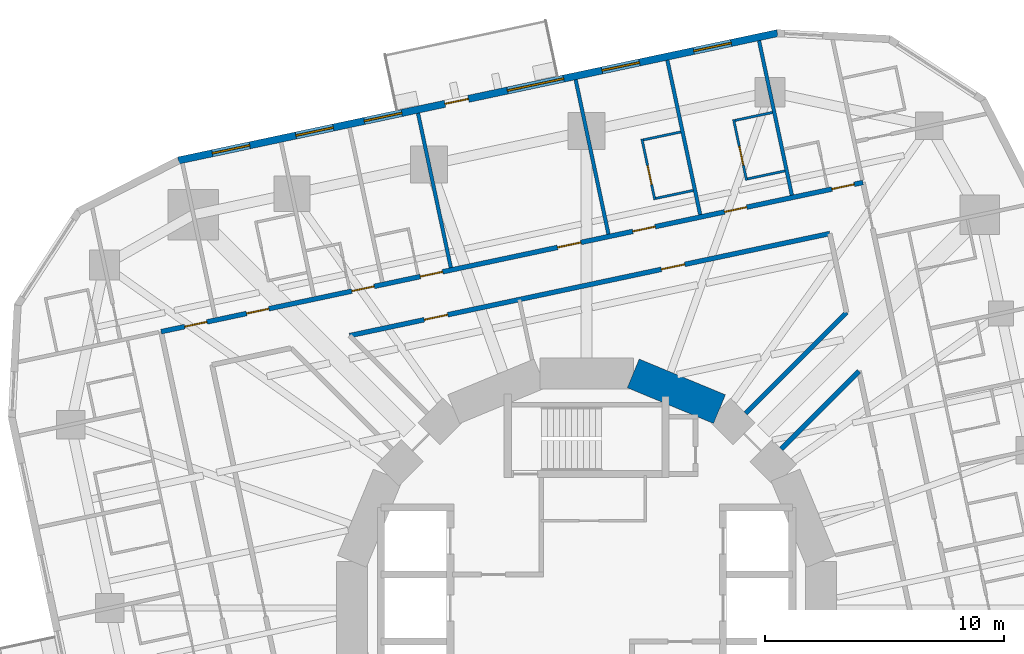
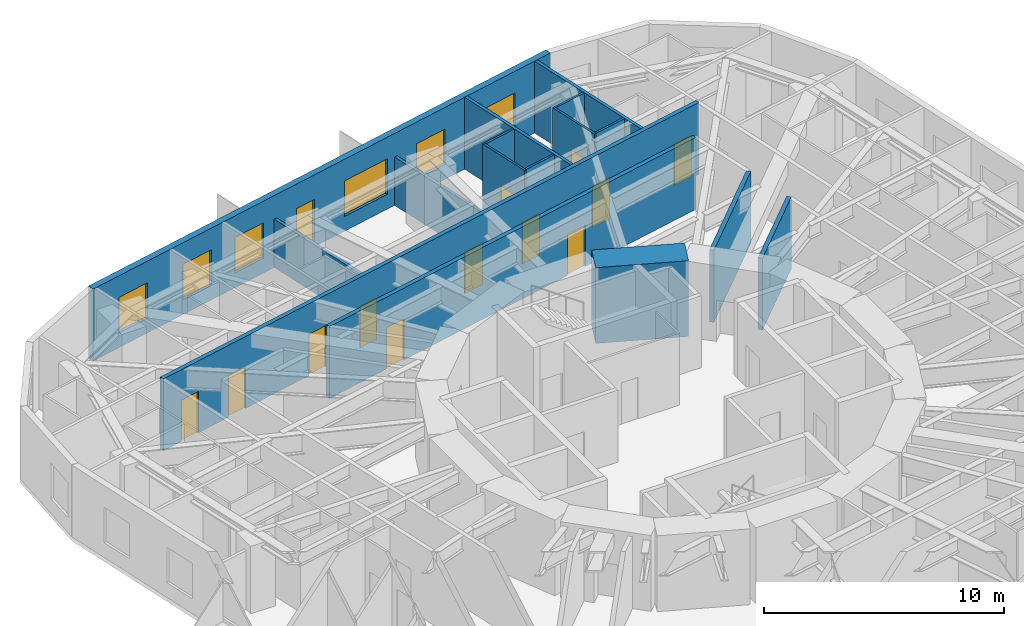
# One storey, part 10 of 13: 16 walls, 13 doors, 6 windows, 19 openings.
"""IFC4 building model written with IfcOpenShell, lengths in metres."""

from ifc_helpers import new_model, si_unit, direction, frame, frame_2d, origin, place, context, subcontext, project, spatial, rectangle, extrude, material, layer, layer_set, type_object, element, fill, save


model = new_model("IFC4")

# Units and contexts
model_context = context("Model", 3, precision=1e-05, world=origin(), true_north=direction((0.0, 1.0)))
body_context = subcontext(model_context, "Body", "Model", "MODEL_VIEW")
ifc_project = project(units=[si_unit("LENGTHUNIT", "METRE"), si_unit("AREAUNIT", "SQUARE_METRE"), si_unit("VOLUMEUNIT", "CUBIC_METRE"), si_unit("PLANEANGLEUNIT", "RADIAN"), si_unit("MASSUNIT", "GRAM", prefix="KILO")], contexts=[model_context])

# Site, building, storey
site_placement = place(None, origin())
site = spatial("IfcSite", under=ifc_project, at=site_placement, CompositionType="ELEMENT")
building_placement = place(site_placement, origin())
building = spatial("IfcBuilding", under=site, at=building_placement, Name="Nakasero Lantern House", CompositionType="ELEMENT")
storey_placement = place(building_placement, frame((0.0, 0.0, 131.949951171875)))
storey = spatial("IfcBuildingStorey", under=building, at=storey_placement, Name="L32", CompositionType="ELEMENT", Elevation=131.949951171875)

# Wall
ifc_material_1 = material(Name="Concrete C50/60", Category="concrete")
ifc_layer_1 = layer(ifc_material_1, 1.300048828125)
ifc_layer_set_1 = layer_set([ifc_layer_1], Name="Core wall 1300")
wall_type_1 = type_object("IfcWallType", Name="Core wall 1300", PredefinedType="SHEAR", material=ifc_layer_set_1)
wall_1_placement = place(storey_placement, frame((5.5556640625, 8.314697265625, 0.0), z_axis=(0.0, 0.0, 1.0), x_axis=(-0.923876507187, 0.382690736062, 0.0)))
element("IfcWall", 1, at=wall_1_placement, inside=storey, type_object=wall_type_1, Name="Core wall L32 facet 3", PredefinedType="SHEAR", context=body_context, shape_type="SweptSolid", body=[
    extrude(rectangle(XDim=3.90185546875, YDim=1.300048828125, at=frame_2d((1.950927734375, 0.0))), origin(), (0.0, 0.0, 1.0), 3.85009765625),
])

# Wall, openings, doors
ifc_material_2 = material(Name="Blockwork", Category="masonry")
ifc_layer_2 = layer(ifc_material_2, 0.199951171875)
ifc_layer_set_2 = layer_set([ifc_layer_2], Name="Corridor wall 200")
wall_type_2 = type_object("IfcWallType", Name="Corridor wall 200", PredefinedType="PARTITIONING", material=ifc_layer_set_2)
wall_2_placement = place(storey_placement, frame((11.553466796875, 17.790771484375, 0.0), z_axis=(0.0, 0.0, 1.0), x_axis=(-0.978147639417, -0.207911508826, 0.0)))
wall_2 = element("IfcWall", 2, at=wall_2_placement, inside=storey, type_object=wall_type_2, Name="Corridor wall L32 CW1", PredefinedType="PARTITIONING", context=body_context, shape_type="SweptSolid", body=[
    extrude(rectangle(XDim=29.999755859375, YDim=0.199951171875, at=frame_2d((15.0, 0.0))), origin(), (0.0, 0.0, 1.0), 3.650146484375),
])
opening_1_placement = place(wall_2_placement, frame((0.375, 0.0, 0.0)))
opening_1 = element("IfcOpeningElement", 3, at=opening_1_placement, cuts=wall_2, Name="Opening D01", PredefinedType="OPENING", context=body_context, shape_type="SweptSolid", body=[
    extrude(rectangle(XDim=0.949951171875, YDim=2.10009765625, at=frame_2d((0.47509765625, 1.050048828125))), frame((0.0, 0.119873046875, 0.0), z_axis=(0.0, -1.0, 0.0), x_axis=(1.0, 0.0, 0.0)), (0.0, 0.0, 1.0), 0.239990234375),
])
opening_2_placement = place(wall_2_placement, frame((4.966064453125, 0.0, 0.0)))
opening_2 = element("IfcOpeningElement", 4, at=opening_2_placement, cuts=wall_2, Name="Opening D01", PredefinedType="OPENING", context=body_context, shape_type="SweptSolid", body=[
    extrude(rectangle(XDim=0.949951171875, YDim=2.10009765625, at=frame_2d((0.47509765625, 1.050048828125))), frame((0.0, 0.119873046875, 0.0), z_axis=(0.0, -1.0, 0.0), x_axis=(1.0, 0.0, 0.0)), (0.0, 0.0, 1.0), 0.239990234375),
])
opening_3_placement = place(wall_2_placement, frame((8.8857421875, 0.0, 0.0)))
opening_3 = element("IfcOpeningElement", 5, at=opening_3_placement, cuts=wall_2, Name="Opening D01", PredefinedType="OPENING", context=body_context, shape_type="SweptSolid", body=[
    extrude(rectangle(XDim=0.949951171875, YDim=2.10009765625, at=frame_2d((0.47509765625, 1.050048828125))), frame((0.0, 0.119873046875, 0.0), z_axis=(0.0, -1.0, 0.0), x_axis=(1.0, 0.0, 0.0)), (0.0, 0.0, 1.0), 0.239990234375),
])
opening_4_placement = place(wall_2_placement, frame((17.967529296875, 0.0, 0.0)))
opening_4 = element("IfcOpeningElement", 6, at=opening_4_placement, cuts=wall_2, Name="Opening D01", PredefinedType="OPENING", context=body_context, shape_type="SweptSolid", body=[
    extrude(rectangle(XDim=0.949951171875, YDim=2.10009765625, at=frame_2d((0.47509765625, 1.050048828125))), frame((0.0, 0.119873046875, 0.0), z_axis=(0.0, -1.0, 0.0), x_axis=(1.0, 0.0, 0.0)), (0.0, 0.0, 1.0), 0.239990234375),
])
opening_5_placement = place(wall_2_placement, frame((20.89404296875, 0.0, 0.0)))
opening_5 = element("IfcOpeningElement", 7, at=opening_5_placement, cuts=wall_2, Name="Opening D01", PredefinedType="OPENING", context=body_context, shape_type="SweptSolid", body=[
    extrude(rectangle(XDim=0.949951171875, YDim=2.10009765625, at=frame_2d((0.47509765625, 1.050048828125))), frame((0.0, 0.119873046875, 0.0), z_axis=(0.0, -1.0, 0.0), x_axis=(1.0, 0.0, 0.0)), (0.0, 0.0, 1.0), 0.239990234375),
])
opening_6_placement = place(wall_2_placement, frame((25.395263671875, 0.0, 0.0)))
opening_6 = element("IfcOpeningElement", 8, at=opening_6_placement, cuts=wall_2, Name="Opening D01", PredefinedType="OPENING", context=body_context, shape_type="SweptSolid", body=[
    extrude(rectangle(XDim=0.949951171875, YDim=2.10009765625, at=frame_2d((0.47509765625, 1.050048828125))), frame((0.0, 0.119873046875, 0.0), z_axis=(0.0, -1.0, 0.0), x_axis=(1.0, 0.0, 0.0)), (0.0, 0.0, 1.0), 0.239990234375),
])
opening_7_placement = place(wall_2_placement, frame((28.038330078125, 0.0, 0.0)))
opening_7 = element("IfcOpeningElement", 9, at=opening_7_placement, cuts=wall_2, Name="Opening D01", PredefinedType="OPENING", context=body_context, shape_type="SweptSolid", body=[
    extrude(rectangle(XDim=0.949951171875, YDim=2.10009765625, at=frame_2d((0.47509765625, 1.050048828125))), frame((0.0, 0.119873046875, 0.0), z_axis=(0.0, -1.0, 0.0), x_axis=(1.0, 0.0, 0.0)), (0.0, 0.0, 1.0), 0.239990234375),
])
opening_8_placement = place(wall_2_placement, frame((12.05517578125, 0.0, 0.0)))
opening_8 = element("IfcOpeningElement", 10, at=opening_8_placement, cuts=wall_2, Name="Opening D03", PredefinedType="OPENING", context=body_context, shape_type="SweptSolid", body=[
    extrude(rectangle(XDim=1.0, YDim=2.10009765625, at=frame_2d((0.5, 1.050048828125))), frame((0.0, 0.119873046875, 0.0), z_axis=(0.0, -1.0, 0.0), x_axis=(1.0, 0.0, 0.0)), (0.0, 0.0, 1.0), 0.239990234375),
])
ifc_material_3 = material(Name="Timber C24", Category="wood")
door_type_1 = type_object("IfcDoorType", Name="Bedroom door FD30S 950", OperationType="SINGLE_SWING_LEFT", PredefinedType="DOOR", material=ifc_material_3)
door_1_placement = place(opening_1_placement, origin())
door_1 = element("IfcDoor", 11, at=door_1_placement, inside=storey, type_object=door_type_1, Name="Door L32 D1-00", OperationType="SINGLE_SWING_LEFT", OverallHeight=2.10009765625, OverallWidth=0.949951171875, PredefinedType="DOOR", context=body_context, shape_type="SweptSolid", body=[
    extrude(rectangle(XDim=0.949951171875, YDim=2.10009765625, at=frame_2d((0.47509765625, 1.050048828125))), frame((0.0, 0.02490234375, 0.0), z_axis=(0.0, -1.0, 0.0), x_axis=(1.0, 0.0, 0.0)), (0.0, 0.0, 1.0), 0.050048828125),
])
fill(opening_1, door_1)
door_2_placement = place(opening_2_placement, origin())
door_2 = element("IfcDoor", 12, at=door_2_placement, inside=storey, type_object=door_type_1, Name="Door L32 D1-01", OperationType="SINGLE_SWING_LEFT", OverallHeight=2.10009765625, OverallWidth=0.949951171875, PredefinedType="DOOR", context=body_context, shape_type="SweptSolid", body=[
    extrude(rectangle(XDim=0.949951171875, YDim=2.10009765625, at=frame_2d((0.47509765625, 1.050048828125))), frame((0.0, 0.02490234375, 0.0), z_axis=(0.0, -1.0, 0.0), x_axis=(1.0, 0.0, 0.0)), (0.0, 0.0, 1.0), 0.050048828125),
])
fill(opening_2, door_2)
door_3_placement = place(opening_3_placement, origin())
door_3 = element("IfcDoor", 13, at=door_3_placement, inside=storey, type_object=door_type_1, Name="Door L32 D1-02", OperationType="SINGLE_SWING_LEFT", OverallHeight=2.10009765625, OverallWidth=0.949951171875, PredefinedType="DOOR", context=body_context, shape_type="SweptSolid", body=[
    extrude(rectangle(XDim=0.949951171875, YDim=2.10009765625, at=frame_2d((0.47509765625, 1.050048828125))), frame((0.0, 0.02490234375, 0.0), z_axis=(0.0, -1.0, 0.0), x_axis=(1.0, 0.0, 0.0)), (0.0, 0.0, 1.0), 0.050048828125),
])
fill(opening_3, door_3)
door_4_placement = place(opening_4_placement, origin())
door_4 = element("IfcDoor", 14, at=door_4_placement, inside=storey, type_object=door_type_1, Name="Door L32 D1-05", OperationType="SINGLE_SWING_RIGHT", OverallHeight=2.10009765625, OverallWidth=0.949951171875, PredefinedType="DOOR", context=body_context, shape_type="SweptSolid", body=[
    extrude(rectangle(XDim=0.949951171875, YDim=2.10009765625, at=frame_2d((0.47509765625, 1.050048828125))), frame((0.0, 0.02490234375, 0.0), z_axis=(0.0, -1.0, 0.0), x_axis=(1.0, 0.0, 0.0)), (0.0, 0.0, 1.0), 0.050048828125),
])
fill(opening_4, door_4)
door_5_placement = place(opening_5_placement, origin())
door_5 = element("IfcDoor", 15, at=door_5_placement, inside=storey, type_object=door_type_1, Name="Door L32 D1-06", OperationType="SINGLE_SWING_RIGHT", OverallHeight=2.10009765625, OverallWidth=0.949951171875, PredefinedType="DOOR", context=body_context, shape_type="SweptSolid", body=[
    extrude(rectangle(XDim=0.949951171875, YDim=2.10009765625, at=frame_2d((0.47509765625, 1.050048828125))), frame((0.0, 0.02490234375, 0.0), z_axis=(0.0, -1.0, 0.0), x_axis=(1.0, 0.0, 0.0)), (0.0, 0.0, 1.0), 0.050048828125),
])
fill(opening_5, door_5)
door_6_placement = place(opening_6_placement, origin())
door_6 = element("IfcDoor", 16, at=door_6_placement, inside=storey, type_object=door_type_1, Name="Door L32 D1-07", OperationType="SINGLE_SWING_RIGHT", OverallHeight=2.10009765625, OverallWidth=0.949951171875, PredefinedType="DOOR", context=body_context, shape_type="SweptSolid", body=[
    extrude(rectangle(XDim=0.949951171875, YDim=2.10009765625, at=frame_2d((0.47509765625, 1.050048828125))), frame((0.0, 0.02490234375, 0.0), z_axis=(0.0, -1.0, 0.0), x_axis=(1.0, 0.0, 0.0)), (0.0, 0.0, 1.0), 0.050048828125),
])
fill(opening_6, door_6)
door_7_placement = place(opening_7_placement, origin())
door_7 = element("IfcDoor", 17, at=door_7_placement, inside=storey, type_object=door_type_1, Name="Door L32 D1-08", OperationType="SINGLE_SWING_RIGHT", OverallHeight=2.10009765625, OverallWidth=0.949951171875, PredefinedType="DOOR", context=body_context, shape_type="SweptSolid", body=[
    extrude(rectangle(XDim=0.949951171875, YDim=2.10009765625, at=frame_2d((0.47509765625, 1.050048828125))), frame((0.0, 0.02490234375, 0.0), z_axis=(0.0, -1.0, 0.0), x_axis=(1.0, 0.0, 0.0)), (0.0, 0.0, 1.0), 0.050048828125),
])
fill(opening_7, door_7)
ifc_material_4 = material(Name="Timber C24", Category="wood")
door_type_2 = type_object("IfcDoorType", Name="Lounge door FD30S 1000", OperationType="SINGLE_SWING_LEFT", PredefinedType="DOOR", material=ifc_material_4)
door_8_placement = place(opening_8_placement, origin())
door_8 = element("IfcDoor", 18, at=door_8_placement, inside=storey, type_object=door_type_2, Name="Door L32 DK1", OperationType="SINGLE_SWING_LEFT", OverallHeight=2.10009765625, OverallWidth=1.0, PredefinedType="DOOR", context=body_context, shape_type="SweptSolid", body=[
    extrude(rectangle(XDim=1.0, YDim=2.10009765625, at=frame_2d((0.5, 1.050048828125))), frame((0.0, 0.02490234375, 0.0), z_axis=(0.0, -1.0, 0.0), x_axis=(1.0, 0.0, 0.0)), (0.0, 0.0, 1.0), 0.050048828125),
])
fill(opening_8, door_8)

wall_3_placement = place(storey_placement, frame((10.1669921875, 15.656005859375, 0.0), z_axis=(0.0, 0.0, 1.0), x_axis=(-0.978147903572, -0.207910266073, 0.0)))
wall_3 = element("IfcWall", 19, at=wall_3_placement, inside=storey, type_object=wall_type_2, Name="Corridor wall L32 IW1-0", PredefinedType="PARTITIONING", context=body_context, shape_type="SweptSolid", body=[
    extrude(rectangle(XDim=20.520263671875, YDim=0.199951171875, at=frame_2d((10.26025390625, 0.0))), origin(), (0.0, 0.0, 1.0), 3.650146484375),
])
opening_9_placement = place(wall_3_placement, frame((6.197509765625, 0.0, 0.0)))
opening_9 = element("IfcOpeningElement", 20, at=opening_9_placement, cuts=wall_3, Name="Opening D07", PredefinedType="OPENING", context=body_context, shape_type="SweptSolid", body=[
    extrude(rectangle(XDim=1.0, YDim=2.10009765625, at=frame_2d((0.5, 1.050048828125))), frame((0.0, 0.119873046875, 0.0), z_axis=(0.0, -1.0, 0.0), x_axis=(1.0, 0.0, 0.0)), (0.0, 0.0, 1.0), 0.239990234375),
])
opening_10_placement = place(wall_3_placement, frame((16.33251953125, 0.0, 0.0)))
opening_10 = element("IfcOpeningElement", 21, at=opening_10_placement, cuts=wall_3, Name="Opening D07", PredefinedType="OPENING", context=body_context, shape_type="SweptSolid", body=[
    extrude(rectangle(XDim=1.0, YDim=2.10009765625, at=frame_2d((0.5, 1.050048828125))), frame((0.0, 0.119873046875, 0.0), z_axis=(0.0, -1.0, 0.0), x_axis=(1.0, 0.0, 0.0)), (0.0, 0.0, 1.0), 0.239990234375),
])
ifc_material_5 = material(Name="Timber C24", Category="wood")
door_type_3 = type_object("IfcDoorType", Name="Room door FD30S 1000", OperationType="SINGLE_SWING_LEFT", PredefinedType="DOOR", material=ifc_material_5)
door_9_placement = place(opening_9_placement, origin())
door_9 = element("IfcDoor", 22, at=door_9_placement, inside=storey, type_object=door_type_3, Name="Door L32 DI4", OperationType="SINGLE_SWING_LEFT", OverallHeight=2.10009765625, OverallWidth=1.0, PredefinedType="DOOR", context=body_context, shape_type="SweptSolid", body=[
    extrude(rectangle(XDim=1.0, YDim=2.10009765625, at=frame_2d((0.5, 1.050048828125))), frame((0.0, 0.02490234375, 0.0), z_axis=(0.0, -1.0, 0.0), x_axis=(1.0, 0.0, 0.0)), (0.0, 0.0, 1.0), 0.050048828125),
])
fill(opening_9, door_9)
door_10_placement = place(opening_10_placement, origin())
door_10 = element("IfcDoor", 23, at=door_10_placement, inside=storey, type_object=door_type_3, Name="Door L32 DI5", OperationType="SINGLE_SWING_RIGHT", OverallHeight=2.10009765625, OverallWidth=1.0, PredefinedType="DOOR", context=body_context, shape_type="SweptSolid", body=[
    extrude(rectangle(XDim=1.0, YDim=2.10009765625, at=frame_2d((0.5, 1.050048828125))), frame((0.0, 0.02490234375, 0.0), z_axis=(0.0, -1.0, 0.0), x_axis=(1.0, 0.0, 0.0)), (0.0, 0.0, 1.0), 0.050048828125),
])
fill(opening_10, door_10)

# Walls
wall_4_placement = place(storey_placement, frame((6.65234375, 8.13720703125, 0.0), z_axis=(0.0, 0.0, 1.0), x_axis=(0.707086310555, 0.707127251225, 0.0)))
element("IfcWall", 24, at=wall_4_placement, inside=storey, type_object=wall_type_2, Name="Corridor wall L32 PS02a", PredefinedType="PARTITIONING", context=body_context, shape_type="SweptSolid", body=[
    extrude(rectangle(XDim=5.96337890625, YDim=0.199951171875, at=frame_2d((2.981689453125, 0.0))), origin(), (0.0, 0.0, 1.0), 3.650146484375),
])
wall_5_placement = place(storey_placement, frame((8.13720703125, 6.65234375, 0.0), z_axis=(0.0, 0.0, 1.0), x_axis=(0.707106781187, 0.707106781187, 0.0)))
element("IfcWall", 25, at=wall_5_placement, inside=storey, type_object=wall_type_2, Name="Corridor wall L32 PS02b", PredefinedType="PARTITIONING", context=body_context, shape_type="SweptSolid", body=[
    extrude(rectangle(XDim=4.599609375, YDim=0.199951171875, at=frame_2d((2.2998046875, 0.0))), origin(), (0.0, 0.0, 1.0), 3.650146484375),
])

# Wall, opening, door
ifc_material_6 = material(Name="Blockwork", Category="masonry")
ifc_layer_3 = layer(ifc_material_6, 0.10009765625)
ifc_layer_set_3 = layer_set([ifc_layer_3], Name="En-suite wall 100")
wall_type_3 = type_object("IfcWallType", Name="En-suite wall 100", PredefinedType="PARTITIONING", material=ifc_layer_set_3)
wall_6_placement = place(storey_placement, frame((6.687255859375, 17.881103515625, 0.0), z_axis=(0.0, 0.0, 1.0), x_axis=(-0.207893569688, 0.978151452323, 0.0)))
wall_6 = element("IfcWall", 26, at=wall_6_placement, inside=storey, type_object=wall_type_3, Name="En-suite wall L32 ES1-01", PredefinedType="PARTITIONING", context=body_context, shape_type="SweptSolid", body=[
    extrude(rectangle(XDim=2.60009765625, YDim=0.10009765625, at=frame_2d((1.300048828125, 0.0))), origin(), (0.0, 0.0, 1.0), 3.650146484375),
])
opening_11_placement = place(wall_6_placement, frame((0.64990234375, 0.0, 0.0)))
opening_11 = element("IfcOpeningElement", 27, at=opening_11_placement, cuts=wall_6, Name="Opening D02", PredefinedType="OPENING", context=body_context, shape_type="SweptSolid", body=[
    extrude(rectangle(XDim=0.800048828125, YDim=2.10009765625, at=frame_2d((0.39990234375, 1.050048828125))), frame((0.0, 0.070068359375, 0.0), z_axis=(0.0, -1.0, 0.0), x_axis=(1.0, 0.0, 0.0)), (0.0, 0.0, 1.0), 0.14013671875),
])
ifc_material_7 = material(Name="Timber C24", Category="wood")
door_type_4 = type_object("IfcDoorType", Name="En-suite door 800", OperationType="SINGLE_SWING_RIGHT", PredefinedType="DOOR", material=ifc_material_7)
door_11_placement = place(opening_11_placement, origin())
door_11 = element("IfcDoor", 28, at=door_11_placement, inside=storey, type_object=door_type_4, Name="Door L32 DE1-01", OperationType="SINGLE_SWING_LEFT", OverallHeight=2.10009765625, OverallWidth=0.800048828125, PredefinedType="DOOR", context=body_context, shape_type="SweptSolid", body=[
    extrude(rectangle(XDim=0.800048828125, YDim=2.10009765625, at=frame_2d((0.39990234375, 1.050048828125))), frame((0.0, 0.02490234375, 0.0), z_axis=(0.0, -1.0, 0.0), x_axis=(1.0, 0.0, 0.0)), (0.0, 0.0, 1.0), 0.050048828125),
])
fill(opening_11, door_11)

# Walls
for number, where, z_axis, x_axis, name in (
    (29, (7.77099609375, 20.718505859375, 0.0), (0.0, 0.0, 1.0), (-0.978131695374, -0.207986505584, 0.0), "En-suite wall L32 EE1-01"),
    (30, (8.290771484375, 18.273193359375, 0.0), (0.0, 0.0, 1.0), (-0.978131695374, -0.207986505584, 0.0), "En-suite wall L32 EI1-01"),
):
    element("IfcWall", number, at=place(storey_placement, frame(where, z_axis=z_axis, x_axis=x_axis)), inside=storey, type_object=wall_type_3, Name=name, PredefinedType="PARTITIONING", context=body_context, shape_type="SweptSolid", body=[
        extrude(rectangle(XDim=1.599853515625, YDim=0.10009765625, at=frame_2d((0.7998046875, 0.0))), origin(), (0.0, 0.0, 1.0), 3.650146484375),
    ])

# Wall, opening, door
wall_7_placement = place(storey_placement, frame((2.853515625, 17.066162109375, 0.0), z_axis=(0.0, 0.0, 1.0), x_axis=(-0.207893569688, 0.978151452323, 0.0)))
wall_7 = element("IfcWall", 31, at=wall_7_placement, inside=storey, type_object=wall_type_3, Name="En-suite wall L32 ES1-02", PredefinedType="PARTITIONING", context=body_context, shape_type="SweptSolid", body=[
    extrude(rectangle(XDim=2.60009765625, YDim=0.10009765625, at=frame_2d((1.300048828125, 0.0))), origin(), (0.0, 0.0, 1.0), 3.650146484375),
])
opening_12_placement = place(wall_7_placement, frame((0.64990234375, 0.0, 0.0)))
opening_12 = element("IfcOpeningElement", 32, at=opening_12_placement, cuts=wall_7, Name="Opening D02", PredefinedType="OPENING", context=body_context, shape_type="SweptSolid", body=[
    extrude(rectangle(XDim=0.800048828125, YDim=2.10009765625, at=frame_2d((0.39990234375, 1.050048828125))), frame((0.0, 0.070068359375, 0.0), z_axis=(0.0, -1.0, 0.0), x_axis=(1.0, 0.0, 0.0)), (0.0, 0.0, 1.0), 0.14013671875),
])
door_12_placement = place(opening_12_placement, origin())
door_12 = element("IfcDoor", 33, at=door_12_placement, inside=storey, type_object=door_type_4, Name="Door L32 DE1-02", OperationType="SINGLE_SWING_LEFT", OverallHeight=2.10009765625, OverallWidth=0.800048828125, PredefinedType="DOOR", context=body_context, shape_type="SweptSolid", body=[
    extrude(rectangle(XDim=0.800048828125, YDim=2.10009765625, at=frame_2d((0.39990234375, 1.050048828125))), frame((0.0, 0.02490234375, 0.0), z_axis=(0.0, -1.0, 0.0), x_axis=(1.0, 0.0, 0.0)), (0.0, 0.0, 1.0), 0.050048828125),
])
fill(opening_12, door_12)

# Walls
for number, where, z_axis, x_axis, name in (
    (34, (3.937255859375, 19.903564453125, 0.0), (0.0, 0.0, 1.0), (-0.978138294895, -0.207955466533, 0.0), "En-suite wall L32 EE1-02"),
    (35, (4.45703125, 17.458251953125, 0.0), (0.0, 0.0, 1.0), (-0.978138294895, -0.207955466533, 0.0), "En-suite wall L32 EI1-02"),
):
    element("IfcWall", number, at=place(storey_placement, frame(where, z_axis=z_axis, x_axis=x_axis)), inside=storey, type_object=wall_type_3, Name=name, PredefinedType="PARTITIONING", context=body_context, shape_type="SweptSolid", body=[
        extrude(rectangle(XDim=1.60009765625, YDim=0.10009765625, at=frame_2d((0.800048828125, 0.0))), origin(), (0.0, 0.0, 1.0), 3.650146484375),
    ])

# Wall, openings, door, windows
ifc_material_8 = material(Name="Aluminium rainscreen on blockwork", Category="masonry")
ifc_layer_4 = layer(ifc_material_8, 0.300048828125)
ifc_layer_set_4 = layer_set([ifc_layer_4], Name="Facade wall 300")
wall_type_4 = type_object("IfcWallType", Name="Facade wall 300", PredefinedType="SOLIDWALL", material=ifc_layer_set_4)
wall_8_placement = place(storey_placement, frame((7.9775390625, 24.03369140625, 0.0), z_axis=(0.0, 0.0, 1.0), x_axis=(-0.978148160964, -0.207909055127, 0.0)))
wall_8 = element("IfcWall", 36, at=wall_8_placement, inside=storey, type_object=wall_type_4, Name="Facade wall L32 FW1S", PredefinedType="SOLIDWALL", context=body_context, shape_type="SweptSolid", body=[
    extrude(rectangle(XDim=25.60009765625, YDim=0.300048828125, at=frame_2d((12.800048828125, 0.0))), origin(), (0.0, 0.0, 1.0), 3.650146484375),
])
opening_13_placement = place(wall_8_placement, frame((1.975830078125, 0.0, 0.75)))
opening_13 = element("IfcOpeningElement", 37, at=opening_13_placement, cuts=wall_8, Name="Opening W01", PredefinedType="OPENING", context=body_context, shape_type="SweptSolid", body=[
    extrude(rectangle(XDim=1.60009765625, YDim=1.800048828125, at=frame_2d((0.800048828125, 0.89990234375))), frame((0.0, 0.169921875, 0.0), z_axis=(0.0, -1.0, 0.0), x_axis=(1.0, 0.0, 0.0)), (0.0, 0.0, 1.0), 0.340087890625),
])
opening_14_placement = place(wall_8_placement, frame((5.8955078125, 0.0, 0.75)))
opening_14 = element("IfcOpeningElement", 38, at=opening_14_placement, cuts=wall_8, Name="Opening W01", PredefinedType="OPENING", context=body_context, shape_type="SweptSolid", body=[
    extrude(rectangle(XDim=1.60009765625, YDim=1.800048828125, at=frame_2d((0.800048828125, 0.89990234375))), frame((0.0, 0.169921875, 0.0), z_axis=(0.0, -1.0, 0.0), x_axis=(1.0, 0.0, 0.0)), (0.0, 0.0, 1.0), 0.340087890625),
])
opening_15_placement = place(wall_8_placement, frame((16.0556640625, 0.0, 0.75)))
opening_15 = element("IfcOpeningElement", 39, at=opening_15_placement, cuts=wall_8, Name="Opening W01", PredefinedType="OPENING", context=body_context, shape_type="SweptSolid", body=[
    extrude(rectangle(XDim=1.60009765625, YDim=1.800048828125, at=frame_2d((0.800048828125, 0.89990234375))), frame((0.0, 0.169921875, 0.0), z_axis=(0.0, -1.0, 0.0), x_axis=(1.0, 0.0, 0.0)), (0.0, 0.0, 1.0), 0.340087890625),
])
opening_16_placement = place(wall_8_placement, frame((18.982177734375, 0.0, 0.75)))
opening_16 = element("IfcOpeningElement", 40, at=opening_16_placement, cuts=wall_8, Name="Opening W01", PredefinedType="OPENING", context=body_context, shape_type="SweptSolid", body=[
    extrude(rectangle(XDim=1.60009765625, YDim=1.800048828125, at=frame_2d((0.800048828125, 0.89990234375))), frame((0.0, 0.169921875, 0.0), z_axis=(0.0, -1.0, 0.0), x_axis=(1.0, 0.0, 0.0)), (0.0, 0.0, 1.0), 0.340087890625),
])
opening_17_placement = place(wall_8_placement, frame((22.554443359375, 0.0, 0.75)))
opening_17 = element("IfcOpeningElement", 41, at=opening_17_placement, cuts=wall_8, Name="Opening W01", PredefinedType="OPENING", context=body_context, shape_type="SweptSolid", body=[
    extrude(rectangle(XDim=1.60009765625, YDim=1.800048828125, at=frame_2d((0.800048828125, 0.89990234375))), frame((0.0, 0.169921875, 0.0), z_axis=(0.0, -1.0, 0.0), x_axis=(1.0, 0.0, 0.0)), (0.0, 0.0, 1.0), 0.340087890625),
])
opening_18_placement = place(wall_8_placement, frame((9.139404296875, 0.0, 0.75)))
opening_18 = element("IfcOpeningElement", 42, at=opening_18_placement, cuts=wall_8, Name="Opening W03", PredefinedType="OPENING", context=body_context, shape_type="SweptSolid", body=[
    extrude(rectangle(XDim=2.39990234375, YDim=1.800048828125, at=frame_2d((1.199951171875, 0.89990234375))), frame((0.0, 0.169921875, 0.0), z_axis=(0.0, -1.0, 0.0), x_axis=(1.0, 0.0, 0.0)), (0.0, 0.0, 1.0), 0.340087890625),
])
opening_19_placement = place(wall_8_placement, frame((13.208251953125, 0.0, 0.0)))
opening_19 = element("IfcOpeningElement", 43, at=opening_19_placement, cuts=wall_8, Name="Opening D04", PredefinedType="OPENING", context=body_context, shape_type="SweptSolid", body=[
    extrude(rectangle(XDim=1.0, YDim=2.39990234375, at=frame_2d((0.5, 1.199951171875))), frame((0.0, 0.169921875, 0.0), z_axis=(0.0, -1.0, 0.0), x_axis=(1.0, 0.0, 0.0)), (0.0, 0.0, 1.0), 0.340087890625),
])
ifc_material_9 = material(Name="Aluminium 6063-T6 and glass", Category="aluminium")
door_type_5 = type_object("IfcDoorType", Name="Balcony door 1000x2400", OperationType="SINGLE_SWING_RIGHT", PredefinedType="DOOR", material=ifc_material_9)
door_13_placement = place(opening_19_placement, origin())
door_13 = element("IfcDoor", 44, at=door_13_placement, inside=storey, type_object=door_type_5, Name="Balcony door L32 DB1", OperationType="SINGLE_SWING_RIGHT", OverallHeight=2.39990234375, OverallWidth=1.0, PredefinedType="DOOR", context=body_context, shape_type="SweptSolid", body=[
    extrude(rectangle(XDim=1.0, YDim=2.39990234375, at=frame_2d((0.5, 1.199951171875))), frame((0.0, 0.02490234375, 0.0), z_axis=(0.0, -1.0, 0.0), x_axis=(1.0, 0.0, 0.0)), (0.0, 0.0, 1.0), 0.050048828125),
])
fill(opening_19, door_13)
ifc_material_10 = material(Name="Aluminium 6063-T6 and glass", Category="aluminium")
window_type_1 = type_object("IfcWindowType", Name="Bedroom window 1600x1800", PartitioningType="SINGLE_PANEL", PredefinedType="WINDOW", material=ifc_material_10)
window_1_placement = place(opening_13_placement, origin())
window_1 = element("IfcWindow", 45, at=window_1_placement, inside=storey, type_object=window_type_1, Name="Window L32 WN1-01", OverallHeight=1.800048828125, OverallWidth=1.60009765625, PartitioningType="SINGLE_PANEL", PredefinedType="WINDOW", context=body_context, shape_type="SweptSolid", body=[
    extrude(rectangle(XDim=1.60009765625, YDim=1.800048828125, at=frame_2d((0.800048828125, 0.89990234375))), frame((0.0, 0.030029296875, 0.0), z_axis=(0.0, -1.0, 0.0), x_axis=(1.0, 0.0, 0.0)), (0.0, 0.0, 1.0), 0.06005859375),
])
fill(opening_13, window_1)
window_2_placement = place(opening_14_placement, origin())
window_2 = element("IfcWindow", 46, at=window_2_placement, inside=storey, type_object=window_type_1, Name="Window L32 WN1-02", OverallHeight=1.800048828125, OverallWidth=1.60009765625, PartitioningType="SINGLE_PANEL", PredefinedType="WINDOW", context=body_context, shape_type="SweptSolid", body=[
    extrude(rectangle(XDim=1.60009765625, YDim=1.800048828125, at=frame_2d((0.800048828125, 0.89990234375))), frame((0.0, 0.030029296875, 0.0), z_axis=(0.0, -1.0, 0.0), x_axis=(1.0, 0.0, 0.0)), (0.0, 0.0, 1.0), 0.06005859375),
])
fill(opening_14, window_2)
window_3_placement = place(opening_15_placement, origin())
window_3 = element("IfcWindow", 47, at=window_3_placement, inside=storey, type_object=window_type_1, Name="Window L32 WN1-05", OverallHeight=1.800048828125, OverallWidth=1.60009765625, PartitioningType="SINGLE_PANEL", PredefinedType="WINDOW", context=body_context, shape_type="SweptSolid", body=[
    extrude(rectangle(XDim=1.60009765625, YDim=1.800048828125, at=frame_2d((0.800048828125, 0.89990234375))), frame((0.0, 0.030029296875, 0.0), z_axis=(0.0, -1.0, 0.0), x_axis=(1.0, 0.0, 0.0)), (0.0, 0.0, 1.0), 0.06005859375),
])
fill(opening_15, window_3)
window_4_placement = place(opening_16_placement, origin())
window_4 = element("IfcWindow", 48, at=window_4_placement, inside=storey, type_object=window_type_1, Name="Window L32 WN1-06", OverallHeight=1.800048828125, OverallWidth=1.60009765625, PartitioningType="SINGLE_PANEL", PredefinedType="WINDOW", context=body_context, shape_type="SweptSolid", body=[
    extrude(rectangle(XDim=1.60009765625, YDim=1.800048828125, at=frame_2d((0.800048828125, 0.89990234375))), frame((0.0, 0.030029296875, 0.0), z_axis=(0.0, -1.0, 0.0), x_axis=(1.0, 0.0, 0.0)), (0.0, 0.0, 1.0), 0.06005859375),
])
fill(opening_16, window_4)
window_5_placement = place(opening_17_placement, origin())
window_5 = element("IfcWindow", 49, at=window_5_placement, inside=storey, type_object=window_type_1, Name="Window L32 WN1-07", OverallHeight=1.800048828125, OverallWidth=1.60009765625, PartitioningType="SINGLE_PANEL", PredefinedType="WINDOW", context=body_context, shape_type="SweptSolid", body=[
    extrude(rectangle(XDim=1.60009765625, YDim=1.800048828125, at=frame_2d((0.800048828125, 0.89990234375))), frame((0.0, 0.030029296875, 0.0), z_axis=(0.0, -1.0, 0.0), x_axis=(1.0, 0.0, 0.0)), (0.0, 0.0, 1.0), 0.06005859375),
])
fill(opening_17, window_5)
ifc_material_11 = material(Name="Aluminium 6063-T6 and glass", Category="aluminium")
window_type_2 = type_object("IfcWindowType", Name="Lounge window 2400x1800", PartitioningType="SINGLE_PANEL", PredefinedType="WINDOW", material=ifc_material_11)
window_6_placement = place(opening_18_placement, origin())
window_6 = element("IfcWindow", 50, at=window_6_placement, inside=storey, type_object=window_type_2, Name="Window L32 WK1", OverallHeight=1.800048828125, OverallWidth=2.39990234375, PartitioningType="SINGLE_PANEL", PredefinedType="WINDOW", context=body_context, shape_type="SweptSolid", body=[
    extrude(rectangle(XDim=2.39990234375, YDim=1.800048828125, at=frame_2d((1.199951171875, 0.89990234375))), frame((0.0, 0.030029296875, 0.0), z_axis=(0.0, -1.0, 0.0), x_axis=(1.0, 0.0, 0.0)), (0.0, 0.0, 1.0), 0.06005859375),
])
fill(opening_18, window_6)

# Walls
ifc_material_12 = material(Name="Blockwork", Category="masonry")
ifc_layer_5 = layer(ifc_material_12, 0.14990234375)
ifc_layer_set_5 = layer_set([ifc_layer_5], Name="Party wall 150")
wall_type_5 = type_object("IfcWallType", Name="Party wall 150", PredefinedType="PARTITIONING", material=ifc_layer_set_5)
wall_9_placement = place(storey_placement, frame((8.58251953125, 17.26171875, 0.0), z_axis=(0.0, 0.0, 1.0), x_axis=(-0.207932197326, 0.978143241716, 0.0)))
element("IfcWall", 51, at=wall_9_placement, inside=storey, type_object=wall_type_5, Name="Party wall L32 PW1-01", PredefinedType="PARTITIONING", context=body_context, shape_type="SweptSolid", body=[
    extrude(rectangle(XDim=6.599853515625, YDim=0.14990234375, at=frame_2d((3.2998046875, 0.0))), origin(), (0.0, 0.0, 1.0), 3.650146484375),
])
wall_10_placement = place(storey_placement, frame((4.748779296875, 16.44677734375, 0.0), z_axis=(0.0, 0.0, 1.0), x_axis=(-0.207924673876, 0.978144841009, 0.0)))
element("IfcWall", 52, at=wall_10_placement, inside=storey, type_object=wall_type_5, Name="Party wall L32 PW1-02", PredefinedType="PARTITIONING", context=body_context, shape_type="SweptSolid", body=[
    extrude(rectangle(XDim=6.60009765625, YDim=0.14990234375, at=frame_2d((3.300048828125, 0.0))), origin(), (0.0, 0.0, 1.0), 3.650146484375),
])
for number, where, z_axis, x_axis, name in (
    (53, (0.914794921875, 15.6318359375, 0.0), (0.0, 0.0, 1.0), (-0.207924673876, 0.978144841009, 0.0), "Party wall L32 PW1-03"),
    (54, (-5.67529296875, 14.23095703125, 0.0), (0.0, 0.0, 1.0), (-0.207924673876, 0.978144841009, 0.0), "Party wall L32 PW1-05"),
):
    element("IfcWall", number, at=place(storey_placement, frame(where, z_axis=z_axis, x_axis=x_axis)), inside=storey, type_object=wall_type_5, Name=name, PredefinedType="PARTITIONING", context=body_context, shape_type="SweptSolid", body=[
        extrude(rectangle(XDim=6.60009765625, YDim=0.14990234375, at=frame_2d((3.300048828125, 0.0))), origin(), (0.0, 0.0, 1.0), 2.449951171875),
    ])

save(model, "model.ifc")
